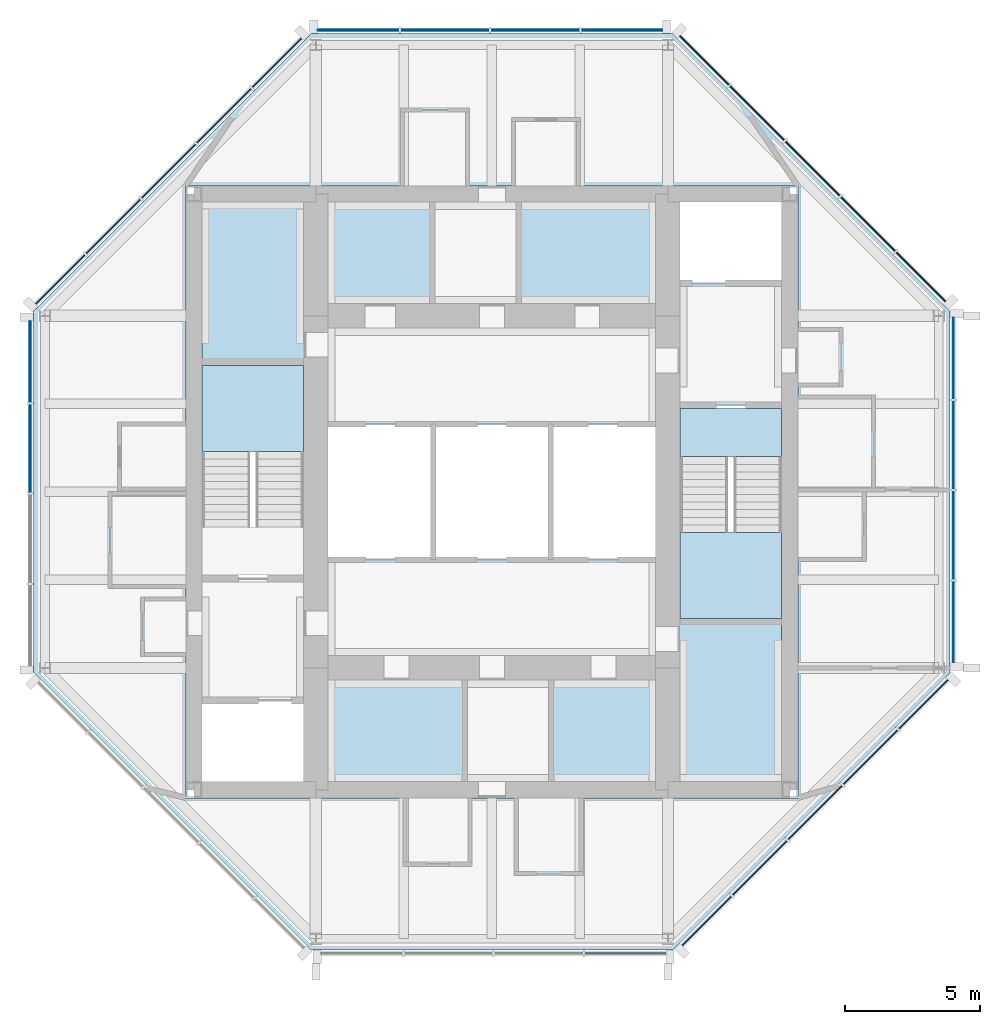
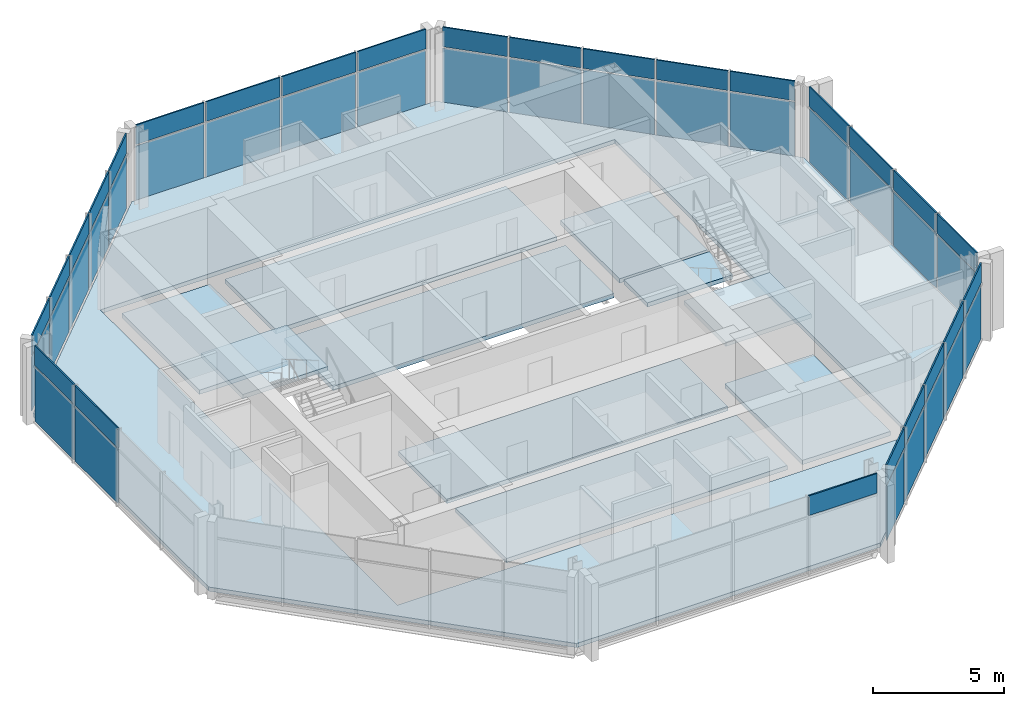
# One storey, part 4 of 8: 51 plates, 11 slabs, 9 elements without a shape of their own.
"""IFC4 building model written with IfcOpenShell, lengths in metres."""

from ifc_helpers import new_model, si_unit, direction, frame, origin, origin_2d, place, context, subcontext, project, spatial, polyline, rectangle, outline, extrude, material, layer, layer_set, type_object, element, aggregate, save


model = new_model("IFC4")

# Units and contexts
model_context = context("Model", 3, precision=1e-05, world=origin(), true_north=direction((0.0, 1.0)))
body_context = subcontext(model_context, "Body", "Model", "MODEL_VIEW")
ifc_project = project(units=[si_unit("LENGTHUNIT", "METRE"), si_unit("AREAUNIT", "SQUARE_METRE"), si_unit("VOLUMEUNIT", "CUBIC_METRE"), si_unit("PLANEANGLEUNIT", "RADIAN"), si_unit("MASSUNIT", "GRAM", prefix="KILO")], contexts=[model_context])

# Site, building, storey
site_placement = place(None, origin())
site = spatial("IfcSite", under=ifc_project, at=site_placement, CompositionType="ELEMENT")
building_placement = place(site_placement, origin())
building = spatial("IfcBuilding", under=site, at=building_placement, Name="Trevanion Tower", CompositionType="ELEMENT")
storey_placement = place(building_placement, frame((0.0, 0.0, 266.800048828125)))
storey = spatial("IfcBuildingStorey", under=building, at=storey_placement, Name="L65", CompositionType="ELEMENT", Elevation=266.800048828125)

# Curtain wall, plates
ifc_material_1 = material(Name="Aluminium and glass", Category="aluminium")
curtain_wall_type = type_object("IfcCurtainWallType", Name="CW4 curtain wall", PredefinedType="USERDEFINED", material=ifc_material_1)
curtain_wall_1_placement = place(storey_placement, origin())
curtain_wall_1 = element("IfcCurtainWall", 1, at=curtain_wall_1_placement, inside=storey, type_object=curtain_wall_type, Name="CW4 L65 0", ObjectType="UNITISED CURTAIN WALL", PredefinedType="USERDEFINED")
ifc_material_2 = material(Name="Aluminium spandrel panel", Category="aluminium")
ifc_layer_1 = layer(ifc_material_2, 0.06005859375)
ifc_layer_set_1 = layer_set([ifc_layer_1], Name="CW4 spandrel panel")
plate_type_1 = type_object("IfcPlateType", Name="CW4 spandrel panel", PredefinedType="CURTAIN_PANEL", material=ifc_layer_set_1)
plate_1_placement = place(storey_placement, frame((17.050048828125, -4.80078125, 2.497314453125), z_axis=(0.0, 0.0, 1.0), x_axis=(0.0, 1.0, 0.0)))
plate_1 = element("IfcPlate", 2, at=plate_1_placement, type_object=plate_type_1, Name="CW4 panel 1.2", PredefinedType="CURTAIN_PANEL", context=body_context, shape_type="SweptSolid", body=[
    extrude(rectangle(XDim=2.993896484375, YDim=0.06005859375, at=origin_2d()), origin(), (0.0, 0.0, 1.0), 0.91259765625),
])
plate_2_placement = place(storey_placement, frame((17.050048828125, -1.6005859375, 2.497314453125), z_axis=(0.0, 0.0, 1.0), x_axis=(0.0, 1.0, 0.0)))
plate_2 = element("IfcPlate", 3, at=plate_2_placement, type_object=plate_type_1, Name="CW4 panel 2.2", PredefinedType="CURTAIN_PANEL", context=body_context, shape_type="SweptSolid", body=[
    extrude(rectangle(XDim=3.25634765625, YDim=0.06005859375, at=origin_2d()), origin(), (0.0, 0.0, 1.0), 0.91259765625),
])
plate_3_placement = place(storey_placement, frame((17.050048828125, 1.730712890625, 2.497314453125), z_axis=(0.0, 0.0, 1.0), x_axis=(0.0, 1.0, 0.0)))
plate_3 = element("IfcPlate", 4, at=plate_3_placement, type_object=plate_type_1, Name="CW4 panel 3.2", PredefinedType="CURTAIN_PANEL", context=body_context, shape_type="SweptSolid", body=[
    extrude(rectangle(XDim=3.25634765625, YDim=0.06005859375, at=origin_2d()), origin(), (0.0, 0.0, 1.0), 0.91259765625),
])
plate_4_placement = place(storey_placement, frame((17.050048828125, 4.930908203125, 2.497314453125), z_axis=(0.0, 0.0, 1.0), x_axis=(0.0, 1.0, 0.0)))
plate_4 = element("IfcPlate", 5, at=plate_4_placement, type_object=plate_type_1, Name="CW4 panel 4.2", PredefinedType="CURTAIN_PANEL", context=body_context, shape_type="SweptSolid", body=[
    extrude(rectangle(XDim=2.993896484375, YDim=0.06005859375, at=origin_2d()), origin(), (0.0, 0.0, 1.0), 0.91259765625),
])

curtain_wall_2_placement = place(storey_placement, origin())
curtain_wall_2 = element("IfcCurtainWall", 6, at=curtain_wall_2_placement, inside=storey, type_object=curtain_wall_type, Name="CW4 L65 1", ObjectType="UNITISED CURTAIN WALL", PredefinedType="USERDEFINED")
plate_5_placement = place(storey_placement, frame((15.84228515625, 7.935546875, 2.497314453125), z_axis=(0.0, 0.0, 1.0), x_axis=(-0.707106781187, 0.707106781187, 0.0)))
plate_5 = element("IfcPlate", 7, at=plate_5_placement, type_object=plate_type_1, Name="CW4 panel 1.2", PredefinedType="CURTAIN_PANEL", context=body_context, shape_type="SweptSolid", body=[
    extrude(rectangle(XDim=2.55615234375, YDim=0.06005859375, at=origin_2d()), origin(), (0.0, 0.0, 1.0), 0.91259765625),
])
plate_6_placement = place(storey_placement, frame((13.888916015625, 9.888916015625, 2.497314453125), z_axis=(0.0, 0.0, 1.0), x_axis=(-0.707106781187, 0.707106781187, 0.0)))
plate_6 = element("IfcPlate", 8, at=plate_6_placement, type_object=plate_type_1, Name="CW4 panel 2.2", PredefinedType="CURTAIN_PANEL", context=body_context, shape_type="SweptSolid", body=[
    extrude(rectangle(XDim=2.818603515625, YDim=0.06005859375, at=origin_2d()), origin(), (0.0, 0.0, 1.0), 0.91259765625),
])
plate_7_placement = place(storey_placement, frame((11.843017578125, 11.934814453125, 2.497314453125), z_axis=(0.0, 0.0, 1.0), x_axis=(-0.707106781187, 0.707106781187, 0.0)))
plate_7 = element("IfcPlate", 9, at=plate_7_placement, type_object=plate_type_1, Name="CW4 panel 3.2", PredefinedType="CURTAIN_PANEL", context=body_context, shape_type="SweptSolid", body=[
    extrude(rectangle(XDim=2.818603515625, YDim=0.06005859375, at=origin_2d()), origin(), (0.0, 0.0, 1.0), 0.91259765625),
])
plate_8_placement = place(storey_placement, frame((9.796875, 13.98095703125, 2.497314453125), z_axis=(0.0, 0.0, 1.0), x_axis=(-0.707106781187, 0.707106781187, 0.0)))
plate_8 = element("IfcPlate", 10, at=plate_8_placement, type_object=plate_type_1, Name="CW4 panel 4.2", PredefinedType="CURTAIN_PANEL", context=body_context, shape_type="SweptSolid", body=[
    extrude(rectangle(XDim=2.818603515625, YDim=0.06005859375, at=origin_2d()), origin(), (0.0, 0.0, 1.0), 0.91259765625),
])
plate_9_placement = place(storey_placement, frame((7.84375, 15.93408203125, 2.497314453125), z_axis=(0.0, 0.0, 1.0), x_axis=(-0.707106781187, 0.707106781187, 0.0)))
plate_9 = element("IfcPlate", 11, at=plate_9_placement, type_object=plate_type_1, Name="CW4 panel 5.2", PredefinedType="CURTAIN_PANEL", context=body_context, shape_type="SweptSolid", body=[
    extrude(rectangle(XDim=2.55615234375, YDim=0.06005859375, at=origin_2d()), origin(), (0.0, 0.0, 1.0), 0.91259765625),
])

curtain_wall_3_placement = place(storey_placement, origin())
curtain_wall_3 = element("IfcCurtainWall", 12, at=curtain_wall_3_placement, inside=storey, type_object=curtain_wall_type, Name="CW4 L65 2", ObjectType="UNITISED CURTAIN WALL", PredefinedType="USERDEFINED")
plate_10_placement = place(storey_placement, frame((4.80078125, 17.050048828125, 2.497314453125), z_axis=(0.0, 0.0, 1.0), x_axis=(-1.0, 0.0, 0.0)))
plate_10 = element("IfcPlate", 13, at=plate_10_placement, type_object=plate_type_1, Name="CW4 panel 1.2", PredefinedType="CURTAIN_PANEL", context=body_context, shape_type="SweptSolid", body=[
    extrude(rectangle(XDim=2.993896484375, YDim=0.06005859375, at=origin_2d()), origin(), (0.0, 0.0, 1.0), 0.91259765625),
])
plate_11_placement = place(storey_placement, frame((1.6005859375, 17.050048828125, 2.497314453125), z_axis=(0.0, 0.0, 1.0), x_axis=(-1.0, 0.0, 0.0)))
plate_11 = element("IfcPlate", 14, at=plate_11_placement, type_object=plate_type_1, Name="CW4 panel 2.2", PredefinedType="CURTAIN_PANEL", context=body_context, shape_type="SweptSolid", body=[
    extrude(rectangle(XDim=3.25634765625, YDim=0.06005859375, at=origin_2d()), origin(), (0.0, 0.0, 1.0), 0.91259765625),
])
plate_12_placement = place(storey_placement, frame((-1.730712890625, 17.050048828125, 2.497314453125), z_axis=(0.0, 0.0, 1.0), x_axis=(-1.0, 0.0, 0.0)))
plate_12 = element("IfcPlate", 15, at=plate_12_placement, type_object=plate_type_1, Name="CW4 panel 3.2", PredefinedType="CURTAIN_PANEL", context=body_context, shape_type="SweptSolid", body=[
    extrude(rectangle(XDim=3.25634765625, YDim=0.06005859375, at=origin_2d()), origin(), (0.0, 0.0, 1.0), 0.91259765625),
])
plate_13_placement = place(storey_placement, frame((-4.930908203125, 17.050048828125, 2.497314453125), z_axis=(0.0, 0.0, 1.0), x_axis=(-1.0, 0.0, 0.0)))
plate_13 = element("IfcPlate", 16, at=plate_13_placement, type_object=plate_type_1, Name="CW4 panel 4.2", PredefinedType="CURTAIN_PANEL", context=body_context, shape_type="SweptSolid", body=[
    extrude(rectangle(XDim=2.993896484375, YDim=0.06005859375, at=origin_2d()), origin(), (0.0, 0.0, 1.0), 0.91259765625),
])

curtain_wall_4_placement = place(storey_placement, origin())
curtain_wall_4 = element("IfcCurtainWall", 17, at=curtain_wall_4_placement, inside=storey, type_object=curtain_wall_type, Name="CW4 L65 3", ObjectType="UNITISED CURTAIN WALL", PredefinedType="USERDEFINED")
plate_14_placement = place(storey_placement, frame((-7.935546875, 15.84228515625, 2.497314453125), z_axis=(0.0, 0.0, 1.0), x_axis=(-0.707106781187, -0.707106781187, 0.0)))
plate_14 = element("IfcPlate", 18, at=plate_14_placement, type_object=plate_type_1, Name="CW4 panel 1.2", PredefinedType="CURTAIN_PANEL", context=body_context, shape_type="SweptSolid", body=[
    extrude(rectangle(XDim=2.55615234375, YDim=0.06005859375, at=origin_2d()), origin(), (0.0, 0.0, 1.0), 0.91259765625),
])
plate_15_placement = place(storey_placement, frame((-9.888916015625, 13.888916015625, 2.497314453125), z_axis=(0.0, 0.0, 1.0), x_axis=(-0.707106781187, -0.707106781187, 0.0)))
plate_15 = element("IfcPlate", 19, at=plate_15_placement, type_object=plate_type_1, Name="CW4 panel 2.2", PredefinedType="CURTAIN_PANEL", context=body_context, shape_type="SweptSolid", body=[
    extrude(rectangle(XDim=2.818603515625, YDim=0.06005859375, at=origin_2d()), origin(), (0.0, 0.0, 1.0), 0.91259765625),
])
plate_16_placement = place(storey_placement, frame((-11.934814453125, 11.843017578125, 2.497314453125), z_axis=(0.0, 0.0, 1.0), x_axis=(-0.707106781187, -0.707106781187, 0.0)))
plate_16 = element("IfcPlate", 20, at=plate_16_placement, type_object=plate_type_1, Name="CW4 panel 3.2", PredefinedType="CURTAIN_PANEL", context=body_context, shape_type="SweptSolid", body=[
    extrude(rectangle(XDim=2.818603515625, YDim=0.06005859375, at=origin_2d()), origin(), (0.0, 0.0, 1.0), 0.91259765625),
])
plate_17_placement = place(storey_placement, frame((-13.98095703125, 9.796875, 2.497314453125), z_axis=(0.0, 0.0, 1.0), x_axis=(-0.707106781187, -0.707106781187, 0.0)))
plate_17 = element("IfcPlate", 21, at=plate_17_placement, type_object=plate_type_1, Name="CW4 panel 4.2", PredefinedType="CURTAIN_PANEL", context=body_context, shape_type="SweptSolid", body=[
    extrude(rectangle(XDim=2.818603515625, YDim=0.06005859375, at=origin_2d()), origin(), (0.0, 0.0, 1.0), 0.91259765625),
])
plate_18_placement = place(storey_placement, frame((-15.93408203125, 7.84375, 2.497314453125), z_axis=(0.0, 0.0, 1.0), x_axis=(-0.707106781187, -0.707106781187, 0.0)))
plate_18 = element("IfcPlate", 22, at=plate_18_placement, type_object=plate_type_1, Name="CW4 panel 5.2", PredefinedType="CURTAIN_PANEL", context=body_context, shape_type="SweptSolid", body=[
    extrude(rectangle(XDim=2.55615234375, YDim=0.06005859375, at=origin_2d()), origin(), (0.0, 0.0, 1.0), 0.91259765625),
])

curtain_wall_5_placement = place(storey_placement, origin())
curtain_wall_5 = element("IfcCurtainWall", 23, at=curtain_wall_5_placement, inside=storey, type_object=curtain_wall_type, Name="CW4 L65 4", ObjectType="UNITISED CURTAIN WALL", PredefinedType="USERDEFINED")
plate_19_placement = place(storey_placement, frame((-17.050048828125, 4.80078125, 2.497314453125), z_axis=(0.0, 0.0, 1.0), x_axis=(0.0, -1.0, 0.0)))
plate_19 = element("IfcPlate", 24, at=plate_19_placement, type_object=plate_type_1, Name="CW4 panel 1.2", PredefinedType="CURTAIN_PANEL", context=body_context, shape_type="SweptSolid", body=[
    extrude(rectangle(XDim=2.993896484375, YDim=0.06005859375, at=origin_2d()), origin(), (0.0, 0.0, 1.0), 0.91259765625),
])
plate_20_placement = place(storey_placement, frame((-17.050048828125, 1.6005859375, 2.497314453125), z_axis=(0.0, 0.0, 1.0), x_axis=(0.0, -1.0, 0.0)))
plate_20 = element("IfcPlate", 25, at=plate_20_placement, type_object=plate_type_1, Name="CW4 panel 2.2", PredefinedType="CURTAIN_PANEL", context=body_context, shape_type="SweptSolid", body=[
    extrude(rectangle(XDim=3.25634765625, YDim=0.06005859375, at=origin_2d()), origin(), (0.0, 0.0, 1.0), 0.91259765625),
])

# Curtain wall, plate
curtain_wall_6_placement = place(storey_placement, origin())
curtain_wall_6 = element("IfcCurtainWall", 26, at=curtain_wall_6_placement, inside=storey, type_object=curtain_wall_type, Name="CW4 L65 6", ObjectType="UNITISED CURTAIN WALL", PredefinedType="USERDEFINED")
plate_21_placement = place(storey_placement, frame((4.930908203125, -17.050048828125, 2.497314453125), z_axis=(0.0, 0.0, 1.0), x_axis=(1.0, 0.0, 0.0)))
plate_21 = element("IfcPlate", 27, at=plate_21_placement, type_object=plate_type_1, Name="CW4 panel 4.2", PredefinedType="CURTAIN_PANEL", context=body_context, shape_type="SweptSolid", body=[
    extrude(rectangle(XDim=2.993896484375, YDim=0.06005859375, at=origin_2d()), origin(), (0.0, 0.0, 1.0), 0.91259765625),
])
aggregate(curtain_wall_6, [plate_21])

# Curtain wall, plates
curtain_wall_7_placement = place(storey_placement, origin())
curtain_wall_7 = element("IfcCurtainWall", 28, at=curtain_wall_7_placement, inside=storey, type_object=curtain_wall_type, Name="CW4 L65 7", ObjectType="UNITISED CURTAIN WALL", PredefinedType="USERDEFINED")
plate_22_placement = place(storey_placement, frame((7.935546875, -15.84228515625, 2.497314453125), z_axis=(0.0, 0.0, 1.0), x_axis=(0.707106781187, 0.707106781187, 0.0)))
plate_22 = element("IfcPlate", 29, at=plate_22_placement, type_object=plate_type_1, Name="CW4 panel 1.2", PredefinedType="CURTAIN_PANEL", context=body_context, shape_type="SweptSolid", body=[
    extrude(rectangle(XDim=2.55615234375, YDim=0.06005859375, at=origin_2d()), origin(), (0.0, 0.0, 1.0), 0.91259765625),
])
plate_23_placement = place(storey_placement, frame((9.888916015625, -13.888916015625, 2.497314453125), z_axis=(0.0, 0.0, 1.0), x_axis=(0.707106781187, 0.707106781187, 0.0)))
plate_23 = element("IfcPlate", 30, at=plate_23_placement, type_object=plate_type_1, Name="CW4 panel 2.2", PredefinedType="CURTAIN_PANEL", context=body_context, shape_type="SweptSolid", body=[
    extrude(rectangle(XDim=2.818603515625, YDim=0.06005859375, at=origin_2d()), origin(), (0.0, 0.0, 1.0), 0.91259765625),
])
plate_24_placement = place(storey_placement, frame((11.934814453125, -11.843017578125, 2.497314453125), z_axis=(0.0, 0.0, 1.0), x_axis=(0.707106781187, 0.707106781187, 0.0)))
plate_24 = element("IfcPlate", 31, at=plate_24_placement, type_object=plate_type_1, Name="CW4 panel 3.2", PredefinedType="CURTAIN_PANEL", context=body_context, shape_type="SweptSolid", body=[
    extrude(rectangle(XDim=2.818603515625, YDim=0.06005859375, at=origin_2d()), origin(), (0.0, 0.0, 1.0), 0.91259765625),
])
plate_25_placement = place(storey_placement, frame((13.98095703125, -9.796875, 2.497314453125), z_axis=(0.0, 0.0, 1.0), x_axis=(0.707106781187, 0.707106781187, 0.0)))
plate_25 = element("IfcPlate", 32, at=plate_25_placement, type_object=plate_type_1, Name="CW4 panel 4.2", PredefinedType="CURTAIN_PANEL", context=body_context, shape_type="SweptSolid", body=[
    extrude(rectangle(XDim=2.818603515625, YDim=0.06005859375, at=origin_2d()), origin(), (0.0, 0.0, 1.0), 0.91259765625),
])
plate_26_placement = place(storey_placement, frame((15.93408203125, -7.84375, 2.497314453125), z_axis=(0.0, 0.0, 1.0), x_axis=(0.707106781187, 0.707106781187, 0.0)))
plate_26 = element("IfcPlate", 33, at=plate_26_placement, type_object=plate_type_1, Name="CW4 panel 5.2", PredefinedType="CURTAIN_PANEL", context=body_context, shape_type="SweptSolid", body=[
    extrude(rectangle(XDim=2.55615234375, YDim=0.06005859375, at=origin_2d()), origin(), (0.0, 0.0, 1.0), 0.91259765625),
])

# Plate
ifc_material_3 = material(Name="Insulating glass unit", Category="glass")
ifc_layer_2 = layer(ifc_material_3, 0.028076171875)
ifc_layer_set_2 = layer_set([ifc_layer_2], Name="CW4 vision panel")
plate_type_2 = type_object("IfcPlateType", Name="CW4 vision panel", PredefinedType="CURTAIN_PANEL", material=ifc_layer_set_2)
plate_27_placement = place(storey_placement, frame((17.050048828125, -4.80078125, -0.114990234375), z_axis=(0.0, 0.0, 1.0), x_axis=(0.0, 1.0, 0.0)))
plate_27 = element("IfcPlate", 34, at=plate_27_placement, type_object=plate_type_2, Name="CW4 panel 1.1", PredefinedType="CURTAIN_PANEL", context=body_context, shape_type="SweptSolid", body=[
    extrude(rectangle(XDim=2.993896484375, YDim=0.028076171875, at=origin_2d()), origin(), (0.0, 0.0, 1.0), 2.53759765625),
])

plate_28_placement = place(storey_placement, frame((17.050048828125, -1.6005859375, -0.114990234375), z_axis=(0.0, 0.0, 1.0), x_axis=(0.0, 1.0, 0.0)))
plate_28 = element("IfcPlate", 35, at=plate_28_placement, type_object=plate_type_2, Name="CW4 panel 2.1", PredefinedType="CURTAIN_PANEL", context=body_context, shape_type="SweptSolid", body=[
    extrude(rectangle(XDim=3.25634765625, YDim=0.028076171875, at=origin_2d()), origin(), (0.0, 0.0, 1.0), 2.53759765625),
])

plate_29_placement = place(storey_placement, frame((17.050048828125, 1.730712890625, -0.114990234375), z_axis=(0.0, 0.0, 1.0), x_axis=(0.0, 1.0, 0.0)))
plate_29 = element("IfcPlate", 36, at=plate_29_placement, type_object=plate_type_2, Name="CW4 panel 3.1", PredefinedType="CURTAIN_PANEL", context=body_context, shape_type="SweptSolid", body=[
    extrude(rectangle(XDim=3.25634765625, YDim=0.028076171875, at=origin_2d()), origin(), (0.0, 0.0, 1.0), 2.53759765625),
])

plate_30_placement = place(storey_placement, frame((17.050048828125, 4.930908203125, -0.114990234375), z_axis=(0.0, 0.0, 1.0), x_axis=(0.0, 1.0, 0.0)))
plate_30 = element("IfcPlate", 37, at=plate_30_placement, type_object=plate_type_2, Name="CW4 panel 4.1", PredefinedType="CURTAIN_PANEL", context=body_context, shape_type="SweptSolid", body=[
    extrude(rectangle(XDim=2.993896484375, YDim=0.028076171875, at=origin_2d()), origin(), (0.0, 0.0, 1.0), 2.53759765625),
])

aggregate(curtain_wall_1, [plate_27, plate_1, plate_28, plate_2, plate_29, plate_3, plate_30, plate_4])

plate_31_placement = place(storey_placement, frame((15.84228515625, 7.935546875, -0.114990234375), z_axis=(0.0, 0.0, 1.0), x_axis=(-0.707106781187, 0.707106781187, 0.0)))
plate_31 = element("IfcPlate", 38, at=plate_31_placement, type_object=plate_type_2, Name="CW4 panel 1.1", PredefinedType="CURTAIN_PANEL", context=body_context, shape_type="SweptSolid", body=[
    extrude(rectangle(XDim=2.55615234375, YDim=0.028076171875, at=origin_2d()), origin(), (0.0, 0.0, 1.0), 2.53759765625),
])

plate_32_placement = place(storey_placement, frame((13.888916015625, 9.888916015625, -0.114990234375), z_axis=(0.0, 0.0, 1.0), x_axis=(-0.707106781187, 0.707106781187, 0.0)))
plate_32 = element("IfcPlate", 39, at=plate_32_placement, type_object=plate_type_2, Name="CW4 panel 2.1", PredefinedType="CURTAIN_PANEL", context=body_context, shape_type="SweptSolid", body=[
    extrude(rectangle(XDim=2.818603515625, YDim=0.028076171875, at=origin_2d()), origin(), (0.0, 0.0, 1.0), 2.53759765625),
])

plate_33_placement = place(storey_placement, frame((11.843017578125, 11.934814453125, -0.114990234375), z_axis=(0.0, 0.0, 1.0), x_axis=(-0.707106781187, 0.707106781187, 0.0)))
plate_33 = element("IfcPlate", 40, at=plate_33_placement, type_object=plate_type_2, Name="CW4 panel 3.1", PredefinedType="CURTAIN_PANEL", context=body_context, shape_type="SweptSolid", body=[
    extrude(rectangle(XDim=2.818603515625, YDim=0.028076171875, at=origin_2d()), origin(), (0.0, 0.0, 1.0), 2.53759765625),
])

plate_34_placement = place(storey_placement, frame((9.796875, 13.98095703125, -0.114990234375), z_axis=(0.0, 0.0, 1.0), x_axis=(-0.707106781187, 0.707106781187, 0.0)))
plate_34 = element("IfcPlate", 41, at=plate_34_placement, type_object=plate_type_2, Name="CW4 panel 4.1", PredefinedType="CURTAIN_PANEL", context=body_context, shape_type="SweptSolid", body=[
    extrude(rectangle(XDim=2.818603515625, YDim=0.028076171875, at=origin_2d()), origin(), (0.0, 0.0, 1.0), 2.53759765625),
])

plate_35_placement = place(storey_placement, frame((7.84375, 15.93408203125, -0.114990234375), z_axis=(0.0, 0.0, 1.0), x_axis=(-0.707106781187, 0.707106781187, 0.0)))
plate_35 = element("IfcPlate", 42, at=plate_35_placement, type_object=plate_type_2, Name="CW4 panel 5.1", PredefinedType="CURTAIN_PANEL", context=body_context, shape_type="SweptSolid", body=[
    extrude(rectangle(XDim=2.55615234375, YDim=0.028076171875, at=origin_2d()), origin(), (0.0, 0.0, 1.0), 2.53759765625),
])

aggregate(curtain_wall_2, [plate_31, plate_5, plate_32, plate_6, plate_33, plate_7, plate_34, plate_8, plate_35, plate_9])

plate_36_placement = place(storey_placement, frame((4.80078125, 17.050048828125, -0.114990234375), z_axis=(0.0, 0.0, 1.0), x_axis=(-1.0, 0.0, 0.0)))
plate_36 = element("IfcPlate", 43, at=plate_36_placement, type_object=plate_type_2, Name="CW4 panel 1.1", PredefinedType="CURTAIN_PANEL", context=body_context, shape_type="SweptSolid", body=[
    extrude(rectangle(XDim=2.993896484375, YDim=0.028076171875, at=origin_2d()), origin(), (0.0, 0.0, 1.0), 2.53759765625),
])

plate_37_placement = place(storey_placement, frame((1.6005859375, 17.050048828125, -0.114990234375), z_axis=(0.0, 0.0, 1.0), x_axis=(-1.0, 0.0, 0.0)))
plate_37 = element("IfcPlate", 44, at=plate_37_placement, type_object=plate_type_2, Name="CW4 panel 2.1", PredefinedType="CURTAIN_PANEL", context=body_context, shape_type="SweptSolid", body=[
    extrude(rectangle(XDim=3.25634765625, YDim=0.028076171875, at=origin_2d()), origin(), (0.0, 0.0, 1.0), 2.53759765625),
])

plate_38_placement = place(storey_placement, frame((-1.730712890625, 17.050048828125, -0.114990234375), z_axis=(0.0, 0.0, 1.0), x_axis=(-1.0, 0.0, 0.0)))
plate_38 = element("IfcPlate", 45, at=plate_38_placement, type_object=plate_type_2, Name="CW4 panel 3.1", PredefinedType="CURTAIN_PANEL", context=body_context, shape_type="SweptSolid", body=[
    extrude(rectangle(XDim=3.25634765625, YDim=0.028076171875, at=origin_2d()), origin(), (0.0, 0.0, 1.0), 2.53759765625),
])

plate_39_placement = place(storey_placement, frame((-4.930908203125, 17.050048828125, -0.114990234375), z_axis=(0.0, 0.0, 1.0), x_axis=(-1.0, 0.0, 0.0)))
plate_39 = element("IfcPlate", 46, at=plate_39_placement, type_object=plate_type_2, Name="CW4 panel 4.1", PredefinedType="CURTAIN_PANEL", context=body_context, shape_type="SweptSolid", body=[
    extrude(rectangle(XDim=2.993896484375, YDim=0.028076171875, at=origin_2d()), origin(), (0.0, 0.0, 1.0), 2.53759765625),
])

aggregate(curtain_wall_3, [plate_36, plate_10, plate_37, plate_11, plate_38, plate_12, plate_39, plate_13])

plate_40_placement = place(storey_placement, frame((-7.935546875, 15.84228515625, -0.114990234375), z_axis=(0.0, 0.0, 1.0), x_axis=(-0.707106781187, -0.707106781187, 0.0)))
plate_40 = element("IfcPlate", 47, at=plate_40_placement, type_object=plate_type_2, Name="CW4 panel 1.1", PredefinedType="CURTAIN_PANEL", context=body_context, shape_type="SweptSolid", body=[
    extrude(rectangle(XDim=2.55615234375, YDim=0.028076171875, at=origin_2d()), origin(), (0.0, 0.0, 1.0), 2.53759765625),
])

plate_41_placement = place(storey_placement, frame((-9.888916015625, 13.888916015625, -0.114990234375), z_axis=(0.0, 0.0, 1.0), x_axis=(-0.707106781187, -0.707106781187, 0.0)))
plate_41 = element("IfcPlate", 48, at=plate_41_placement, type_object=plate_type_2, Name="CW4 panel 2.1", PredefinedType="CURTAIN_PANEL", context=body_context, shape_type="SweptSolid", body=[
    extrude(rectangle(XDim=2.818603515625, YDim=0.028076171875, at=origin_2d()), origin(), (0.0, 0.0, 1.0), 2.53759765625),
])

plate_42_placement = place(storey_placement, frame((-11.934814453125, 11.843017578125, -0.114990234375), z_axis=(0.0, 0.0, 1.0), x_axis=(-0.707106781187, -0.707106781187, 0.0)))
plate_42 = element("IfcPlate", 49, at=plate_42_placement, type_object=plate_type_2, Name="CW4 panel 3.1", PredefinedType="CURTAIN_PANEL", context=body_context, shape_type="SweptSolid", body=[
    extrude(rectangle(XDim=2.818603515625, YDim=0.028076171875, at=origin_2d()), origin(), (0.0, 0.0, 1.0), 2.53759765625),
])

plate_43_placement = place(storey_placement, frame((-13.98095703125, 9.796875, -0.114990234375), z_axis=(0.0, 0.0, 1.0), x_axis=(-0.707106781187, -0.707106781187, 0.0)))
plate_43 = element("IfcPlate", 50, at=plate_43_placement, type_object=plate_type_2, Name="CW4 panel 4.1", PredefinedType="CURTAIN_PANEL", context=body_context, shape_type="SweptSolid", body=[
    extrude(rectangle(XDim=2.818603515625, YDim=0.028076171875, at=origin_2d()), origin(), (0.0, 0.0, 1.0), 2.53759765625),
])

plate_44_placement = place(storey_placement, frame((-15.93408203125, 7.84375, -0.114990234375), z_axis=(0.0, 0.0, 1.0), x_axis=(-0.707106781187, -0.707106781187, 0.0)))
plate_44 = element("IfcPlate", 51, at=plate_44_placement, type_object=plate_type_2, Name="CW4 panel 5.1", PredefinedType="CURTAIN_PANEL", context=body_context, shape_type="SweptSolid", body=[
    extrude(rectangle(XDim=2.55615234375, YDim=0.028076171875, at=origin_2d()), origin(), (0.0, 0.0, 1.0), 2.53759765625),
])

aggregate(curtain_wall_4, [plate_40, plate_14, plate_41, plate_15, plate_42, plate_16, plate_43, plate_17, plate_44, plate_18])

plate_45_placement = place(storey_placement, frame((-17.050048828125, 4.80078125, -0.114990234375), z_axis=(0.0, 0.0, 1.0), x_axis=(0.0, -1.0, 0.0)))
plate_45 = element("IfcPlate", 52, at=plate_45_placement, type_object=plate_type_2, Name="CW4 panel 1.1", PredefinedType="CURTAIN_PANEL", context=body_context, shape_type="SweptSolid", body=[
    extrude(rectangle(XDim=2.993896484375, YDim=0.028076171875, at=origin_2d()), origin(), (0.0, 0.0, 1.0), 2.53759765625),
])

plate_46_placement = place(storey_placement, frame((-17.050048828125, 1.6005859375, -0.114990234375), z_axis=(0.0, 0.0, 1.0), x_axis=(0.0, -1.0, 0.0)))
plate_46 = element("IfcPlate", 53, at=plate_46_placement, type_object=plate_type_2, Name="CW4 panel 2.1", PredefinedType="CURTAIN_PANEL", context=body_context, shape_type="SweptSolid", body=[
    extrude(rectangle(XDim=3.25634765625, YDim=0.028076171875, at=origin_2d()), origin(), (0.0, 0.0, 1.0), 2.53759765625),
])

aggregate(curtain_wall_5, [plate_45, plate_19, plate_46, plate_20])

plate_47_placement = place(storey_placement, frame((7.935546875, -15.84228515625, -0.114990234375), z_axis=(0.0, 0.0, 1.0), x_axis=(0.707106781187, 0.707106781187, 0.0)))
plate_47 = element("IfcPlate", 54, at=plate_47_placement, type_object=plate_type_2, Name="CW4 panel 1.1", PredefinedType="CURTAIN_PANEL", context=body_context, shape_type="SweptSolid", body=[
    extrude(rectangle(XDim=2.55615234375, YDim=0.028076171875, at=origin_2d()), origin(), (0.0, 0.0, 1.0), 2.53759765625),
])

plate_48_placement = place(storey_placement, frame((9.888916015625, -13.888916015625, -0.114990234375), z_axis=(0.0, 0.0, 1.0), x_axis=(0.707106781187, 0.707106781187, 0.0)))
plate_48 = element("IfcPlate", 55, at=plate_48_placement, type_object=plate_type_2, Name="CW4 panel 2.1", PredefinedType="CURTAIN_PANEL", context=body_context, shape_type="SweptSolid", body=[
    extrude(rectangle(XDim=2.818603515625, YDim=0.028076171875, at=origin_2d()), origin(), (0.0, 0.0, 1.0), 2.53759765625),
])

plate_49_placement = place(storey_placement, frame((11.934814453125, -11.843017578125, -0.114990234375), z_axis=(0.0, 0.0, 1.0), x_axis=(0.707106781187, 0.707106781187, 0.0)))
plate_49 = element("IfcPlate", 56, at=plate_49_placement, type_object=plate_type_2, Name="CW4 panel 3.1", PredefinedType="CURTAIN_PANEL", context=body_context, shape_type="SweptSolid", body=[
    extrude(rectangle(XDim=2.818603515625, YDim=0.028076171875, at=origin_2d()), origin(), (0.0, 0.0, 1.0), 2.53759765625),
])

plate_50_placement = place(storey_placement, frame((13.98095703125, -9.796875, -0.114990234375), z_axis=(0.0, 0.0, 1.0), x_axis=(0.707106781187, 0.707106781187, 0.0)))
plate_50 = element("IfcPlate", 57, at=plate_50_placement, type_object=plate_type_2, Name="CW4 panel 4.1", PredefinedType="CURTAIN_PANEL", context=body_context, shape_type="SweptSolid", body=[
    extrude(rectangle(XDim=2.818603515625, YDim=0.028076171875, at=origin_2d()), origin(), (0.0, 0.0, 1.0), 2.53759765625),
])

plate_51_placement = place(storey_placement, frame((15.93408203125, -7.84375, -0.114990234375), z_axis=(0.0, 0.0, 1.0), x_axis=(0.707106781187, 0.707106781187, 0.0)))
plate_51 = element("IfcPlate", 58, at=plate_51_placement, type_object=plate_type_2, Name="CW4 panel 5.1", PredefinedType="CURTAIN_PANEL", context=body_context, shape_type="SweptSolid", body=[
    extrude(rectangle(XDim=2.55615234375, YDim=0.028076171875, at=origin_2d()), origin(), (0.0, 0.0, 1.0), 2.53759765625),
])

aggregate(curtain_wall_7, [plate_47, plate_22, plate_48, plate_23, plate_49, plate_24, plate_50, plate_25, plate_51, plate_26])

# Slabs
ifc_material_4 = material(Name="Concrete 5,000 psi on composite metal deck", Category="concrete")
ifc_layer_3 = layer(ifc_material_4, 0.18994140625)
ifc_layer_set_3 = layer_set([ifc_layer_3], Name="SL1 composite floor 190")
slab_type_1 = type_object("IfcSlabType", Name="SL1 composite floor 190", PredefinedType="FLOOR", material=ifc_layer_set_3)
slab_1_placement = place(storey_placement, frame((0.0, 0.0, -0.18994140625)))
element("IfcSlab", 59, at=slab_1_placement, inside=storey, type_object=slab_type_1, Name="SL1 L65 floor", PredefinedType="FLOOR", context=body_context, shape_type="SweptSolid", body=[
    extrude(outline(polyline([(16.919921875, -6.674072265625), (16.919921875, 6.674072265625), (6.674072265625, 16.919921875), (-6.674072265625, 16.919921875), (-16.919921875, 6.674072265625), (-16.919921875, -6.674072265625), (-6.674072265625, -16.919921875), (6.674072265625, -16.919921875), (16.919921875, -6.674072265625)]), holes=[polyline([(11.300048828125, -11.300048828125), (11.300048828125, 11.300048828125), (-11.300048828125, 11.300048828125), (-11.300048828125, -11.300048828125), (11.300048828125, -11.300048828125)])]), origin(), (0.0, 0.0, 1.0), 0.18994140625),
])
ifc_material_5 = material(Name="Concrete 5,000 psi", Category="concrete")
ifc_layer_4 = layer(ifc_material_5, 0.199951171875)
ifc_layer_set_4 = layer_set([ifc_layer_4], Name="SL2 core floor 200")
slab_type_2 = type_object("IfcSlabType", Name="SL2 core floor 200", PredefinedType="FLOOR", material=ifc_layer_set_4)
slab_2_placement = place(storey_placement, frame((0.0, 0.0, -0.199951171875)))
element("IfcSlab", 60, at=slab_2_placement, inside=storey, type_object=slab_type_2, Name="SL2 L65 core floor 1", PredefinedType="FLOOR", context=body_context, shape_type="SweptSolid", body=[
    extrude(outline(polyline([(6.169921875, -10.699951171875), (-6.169921875, -10.699951171875), (-6.169921875, -6.830078125), (6.169921875, -6.830078125), (6.169921875, -10.699951171875)])), origin(), (0.0, 0.0, 1.0), 0.199951171875),
])
slab_3_placement = place(storey_placement, frame((0.0, 0.0, -0.199951171875)))
element("IfcSlab", 61, at=slab_3_placement, inside=storey, type_object=slab_type_2, Name="SL2 L65 core floor 2", PredefinedType="FLOOR", context=body_context, shape_type="SweptSolid", body=[
    extrude(outline(polyline([(6.830078125, -4.804931640625), (10.699951171875, -4.804931640625), (10.699951171875, -10.699951171875), (6.830078125, -10.699951171875), (6.830078125, -4.804931640625)])), origin(), (0.0, 0.0, 1.0), 0.199951171875),
])
slab_4_placement = place(storey_placement, frame((0.0, 0.0, -0.199951171875)))
element("IfcSlab", 62, at=slab_4_placement, inside=storey, type_object=slab_type_2, Name="SL2 L65 core floor 4", PredefinedType="FLOOR", context=body_context, shape_type="SweptSolid", body=[
    extrude(outline(polyline([(6.169921875, -6.169921875), (-6.169921875, -6.169921875), (-6.169921875, -2.47998046875), (6.169921875, -2.47998046875), (6.169921875, -6.169921875)])), origin(), (0.0, 0.0, 1.0), 0.199951171875),
])
slab_5_placement = place(storey_placement, frame((0.0, 0.0, -0.199951171875)))
element("IfcSlab", 63, at=slab_5_placement, inside=storey, type_object=slab_type_2, Name="SL2 L65 core floor 5", PredefinedType="FLOOR", context=body_context, shape_type="SweptSolid", body=[
    extrude(outline(polyline([(6.169921875, 2.47998046875), (-6.169921875, 2.47998046875), (-6.169921875, 6.169921875), (6.169921875, 6.169921875), (6.169921875, 2.47998046875)])), origin(), (0.0, 0.0, 1.0), 0.199951171875),
])
slab_6_placement = place(storey_placement, frame((0.0, 0.0, -0.199951171875)))
element("IfcSlab", 64, at=slab_6_placement, inside=storey, type_object=slab_type_2, Name="SL2 L65 core floor 6", PredefinedType="FLOOR", context=body_context, shape_type="SweptSolid", body=[
    extrude(outline(polyline([(6.830078125, 3.205078125), (6.830078125, 7.695068359375), (10.699951171875, 7.695068359375), (10.699951171875, 3.205078125), (6.830078125, 3.205078125)])), origin(), (0.0, 0.0, 1.0), 0.199951171875),
])
slab_7_placement = place(storey_placement, frame((0.0, 0.0, -0.199951171875)))
element("IfcSlab", 65, at=slab_7_placement, inside=storey, type_object=slab_type_2, Name="SL2 L65 core floor 7", PredefinedType="FLOOR", context=body_context, shape_type="SweptSolid", body=[
    extrude(outline(polyline([(-6.830078125, 4.804931640625), (-10.699951171875, 4.804931640625), (-10.699951171875, 10.699951171875), (-6.830078125, 10.699951171875), (-6.830078125, 4.804931640625)])), origin(), (0.0, 0.0, 1.0), 0.199951171875),
])
slab_8_placement = place(storey_placement, frame((0.0, 0.0, -0.199951171875)))
element("IfcSlab", 66, at=slab_8_placement, inside=storey, type_object=slab_type_2, Name="SL2 L65 core floor 8", PredefinedType="FLOOR", context=body_context, shape_type="SweptSolid", body=[
    extrude(outline(polyline([(6.169921875, 6.830078125), (-6.169921875, 6.830078125), (-6.169921875, 10.699951171875), (6.169921875, 10.699951171875), (6.169921875, 6.830078125)])), origin(), (0.0, 0.0, 1.0), 0.199951171875),
])

# Stair, slabs
ifc_material_6 = material(Name="Concrete 5,000 psi on steel stringers", Category="concrete")
stair_type = type_object("IfcStairType", Name="ST stair", PredefinedType="HALF_TURN_STAIR", material=ifc_material_6)
stair_1_placement = place(storey_placement, origin())
stair_1 = element("IfcStair", 67, at=stair_1_placement, inside=storey, type_object=stair_type, Name="ST1 L65", PredefinedType="HALF_TURN_STAIR")
ifc_material_7 = material(Name="Concrete 5,000 psi in steel pan", Category="concrete")
ifc_layer_5 = layer(ifc_material_7, 0.199951171875)
ifc_layer_set_5 = layer_set([ifc_layer_5], Name="STL stair landing 200")
slab_type_3 = type_object("IfcSlabType", Name="STL stair landing 200", PredefinedType="LANDING", material=ifc_layer_set_5)
slab_9_placement = place(storey_placement, frame((0.0, 0.0, -0.199951171875)))
slab_9 = element("IfcSlab", 68, at=slab_9_placement, type_object=slab_type_3, Name="ST1 landing 1", PredefinedType="LANDING", context=body_context, shape_type="SweptSolid", body=[
    extrude(outline(polyline([(6.949951171875, 1.300048828125), (10.699951171875, 1.300048828125), (10.699951171875, 3.074951171875), (6.949951171875, 3.074951171875), (6.949951171875, 1.300048828125)])), origin(), (0.0, 0.0, 1.0), 0.199951171875),
])
slab_10_placement = place(storey_placement, frame((0.0, 0.0, 1.599853515625)))
slab_10 = element("IfcSlab", 69, at=slab_10_placement, type_object=slab_type_3, Name="ST1 landing 2", PredefinedType="LANDING", context=body_context, shape_type="SweptSolid", body=[
    extrude(outline(polyline([(6.949951171875, -4.675048828125), (10.699951171875, -4.675048828125), (10.699951171875, -1.5), (6.949951171875, -1.5), (6.949951171875, -4.675048828125)])), origin(), (0.0, 0.0, 1.0), 0.2001953125),
])
aggregate(stair_1, [slab_9, slab_10])

# Stair, slab
stair_2_placement = place(storey_placement, origin())
stair_2 = element("IfcStair", 70, at=stair_2_placement, inside=storey, type_object=stair_type, Name="ST2 L65", PredefinedType="HALF_TURN_STAIR")
slab_11_placement = place(storey_placement, frame((0.0, 0.0, 1.599853515625)))
slab_11 = element("IfcSlab", 71, at=slab_11_placement, type_object=slab_type_3, Name="ST2 landing 2", PredefinedType="LANDING", context=body_context, shape_type="SweptSolid", body=[
    extrude(outline(polyline([(-6.949951171875, 4.675048828125), (-10.699951171875, 4.675048828125), (-10.699951171875, 1.5), (-6.949951171875, 1.5), (-6.949951171875, 4.675048828125)])), origin(), (0.0, 0.0, 1.0), 0.2001953125),
])
aggregate(stair_2, [slab_11])

save(model, "model.ifc")
